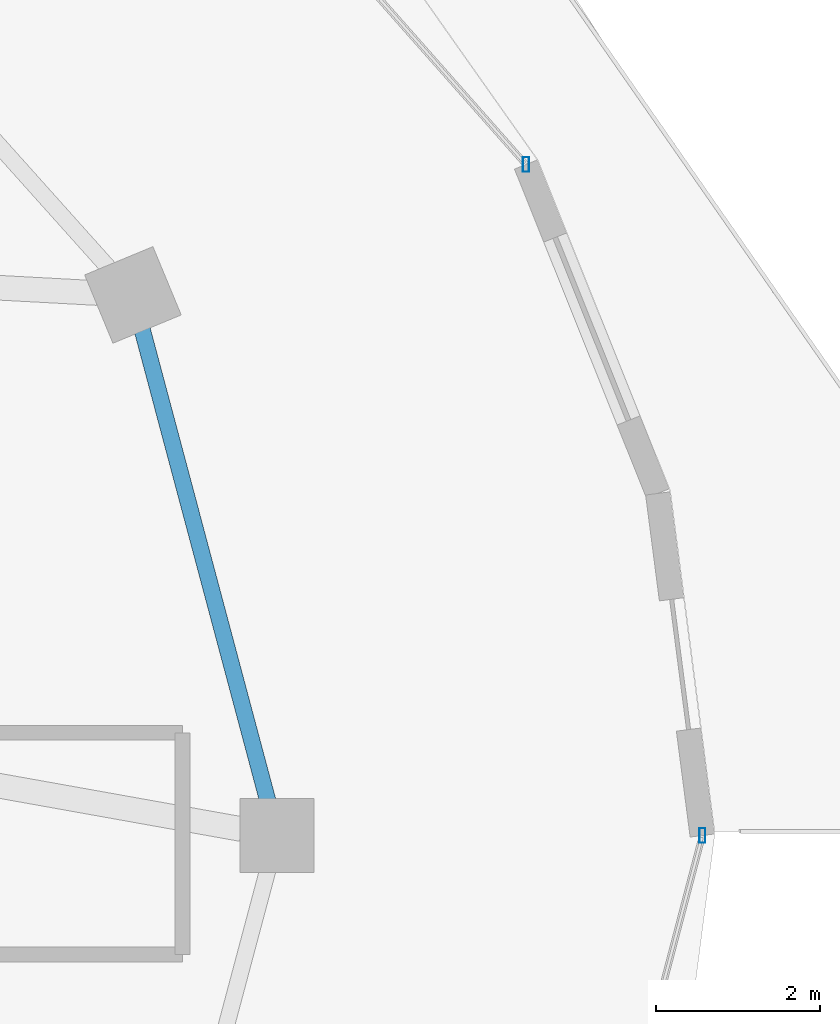
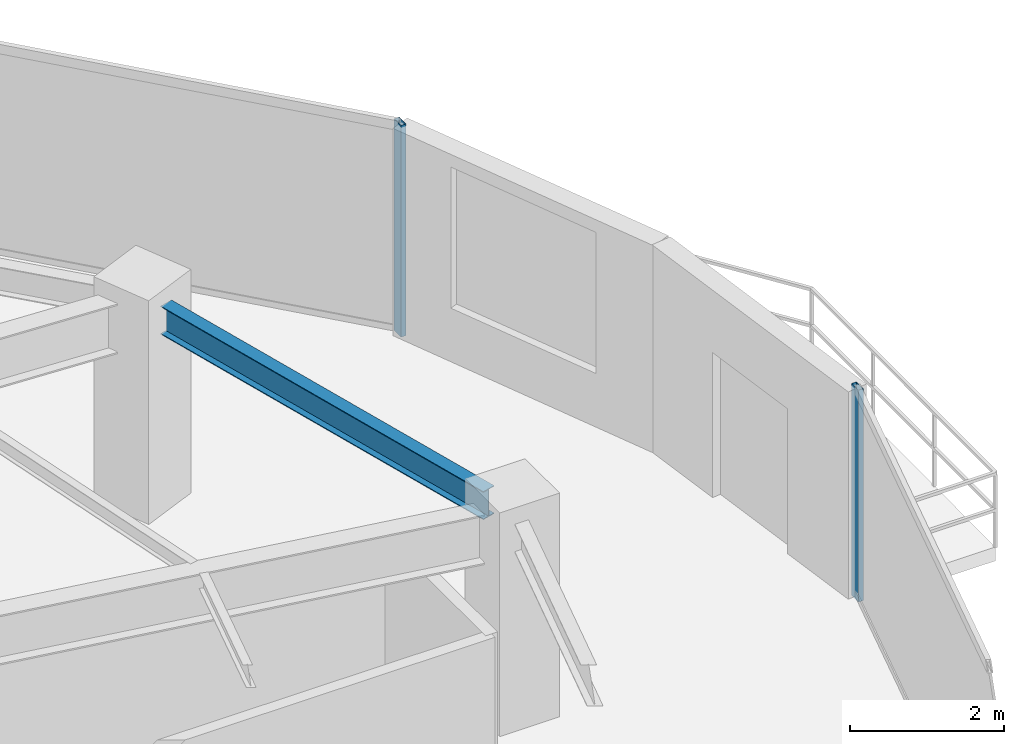
# One storey, part 15 of 33: 2 members, 1 beam, 2 elements without a shape of their own.
"""IFC4 building model written with IfcOpenShell, lengths in metres."""

from ifc_helpers import new_model, si_unit, direction, frame, origin, origin_2d, place, context, subcontext, project, spatial, hollow_rectangle, i_section, extrude, material, material_profile, profile_set, type_object, element, aggregate, save


model = new_model("IFC4")

# Units and contexts
model_context = context("Model", 3, precision=1e-05, world=origin(), true_north=direction((0.0, 1.0)))
body_context = subcontext(model_context, "Body", "Model", "MODEL_VIEW")
ifc_project = project(units=[si_unit("LENGTHUNIT", "METRE"), si_unit("AREAUNIT", "SQUARE_METRE"), si_unit("VOLUMEUNIT", "CUBIC_METRE"), si_unit("PLANEANGLEUNIT", "RADIAN"), si_unit("MASSUNIT", "GRAM", prefix="KILO")], contexts=[model_context])

# Site, building, storey
site_placement = place(None, origin())
site = spatial("IfcSite", under=ifc_project, at=site_placement, CompositionType="ELEMENT")
building_placement = place(site_placement, origin())
building = spatial("IfcBuilding", under=site, at=building_placement, Name="Vorneva Point Tower", CompositionType="ELEMENT")
storey_placement = place(building_placement, frame((0.0, 0.0, 200.10009765625)))
storey = spatial("IfcBuildingStorey", under=building, at=storey_placement, Name="L54", CompositionType="ELEMENT", Elevation=200.10009765625)

# Beam
ifc_material_1 = material(Name="Steel S355", Category="steel")
ifc_material_profile_1 = material_profile(ifc_material_1, i_section(OverallWidth=0.198974609375, OverallDepth=0.446044921875, WebThickness=0.008056640625, FlangeThickness=0.011962890625, at=origin_2d()), Name="45B1")
ifc_profile_set_1 = profile_set([ifc_material_profile_1], Name="Steel S355")
beam_type = type_object("IfcBeamType", Name="BM-SPN-45B1", PredefinedType="SPANDREL", material=ifc_profile_set_1)
beam_placement = place(storey_placement, frame((60.93798828125, 26.42041015625, 3.06689453125), z_axis=(-0.257578258003, 0.966257440336, 0.0), x_axis=(-0.966257440336, -0.257578258003, 0.0)))
element("IfcBeam", 1, at=beam_placement, inside=storey, type_object=beam_type, Name="L54 Perimeter Spandrel Ring Beam 01", PredefinedType="SPANDREL", context=body_context, shape_type="SweptSolid", body=[
    extrude(i_section(OverallWidth=0.198974609375, OverallDepth=0.446044921875, WebThickness=0.008056640625, FlangeThickness=0.011962890625, at=origin_2d()), origin(), (0.0, 0.0, 1.0), 5.94189453125),
])

# Curtain wall, member
ifc_material_2 = material(Name="Pale anodised aluminium", Category="aluminium")
curtain_wall_type = type_object("IfcCurtainWallType", Name="CW-RES-SYS", PredefinedType="NOTDEFINED", material=ifc_material_2)
curtain_wall_1_placement = place(storey_placement, origin())
curtain_wall_1 = element("IfcCurtainWall", 2, at=curtain_wall_1_placement, inside=storey, type_object=curtain_wall_type, Name="L54 Unitised Curtain Wall CW-L54-R01", PredefinedType="NOTDEFINED")
ifc_material_profile_2 = material_profile(ifc_material_2, hollow_rectangle(XDim=0.074951171875, YDim=0.179931640625, WallThickness=0.00390625, at=origin_2d()), Name="AL-MUL 180x75x4")
ifc_profile_set_2 = profile_set([ifc_material_profile_2], Name="Pale anodised aluminium")
member_type = type_object("IfcMemberType", Name="CW-MUL-180", PredefinedType="MULLION", material=ifc_profile_set_2)
member_1_placement = place(storey_placement, frame((64.0810546875, 34.17041015625, -0.0400390625), z_axis=(0.0, 0.0, 1.0), x_axis=(1.0, 0.0, 0.0)))
member_1 = element("IfcMember", 3, at=member_1_placement, type_object=member_type, Name="CW-L54-R01 Mullion 01", PredefinedType="MULLION", context=body_context, shape_type="SweptSolid", body=[
    extrude(hollow_rectangle(XDim=0.074951171875, YDim=0.179931640625, WallThickness=0.00390625, at=origin_2d()), origin(), (0.0, 0.0, 1.0), 3.35986328125),
])
aggregate(curtain_wall_1, [member_1])

curtain_wall_2_placement = place(storey_placement, origin())
curtain_wall_2 = element("IfcCurtainWall", 4, at=curtain_wall_2_placement, inside=storey, type_object=curtain_wall_type, Name="L54 Unitised Curtain Wall CW-L54-R04", PredefinedType="NOTDEFINED")
member_2_placement = place(storey_placement, frame((66.22998046875, 26.0, -0.0400390625), z_axis=(0.0, 0.0, 1.0), x_axis=(1.0, 0.0, 0.0)))
member_2 = element("IfcMember", 5, at=member_2_placement, type_object=member_type, Name="CW-L54-R04 Mullion 03", PredefinedType="MULLION", context=body_context, shape_type="SweptSolid", body=[
    extrude(hollow_rectangle(XDim=0.074951171875, YDim=0.179931640625, WallThickness=0.00390625, at=origin_2d()), origin(), (0.0, 0.0, 1.0), 3.35986328125),
])
aggregate(curtain_wall_2, [member_2])

save(model, "model.ifc")
